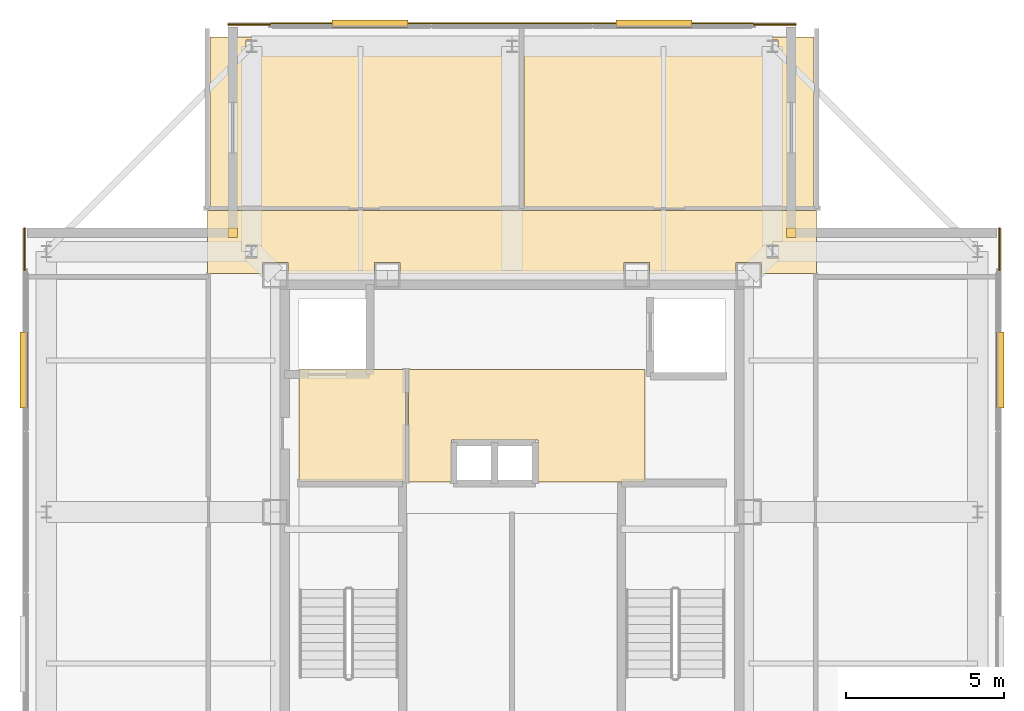
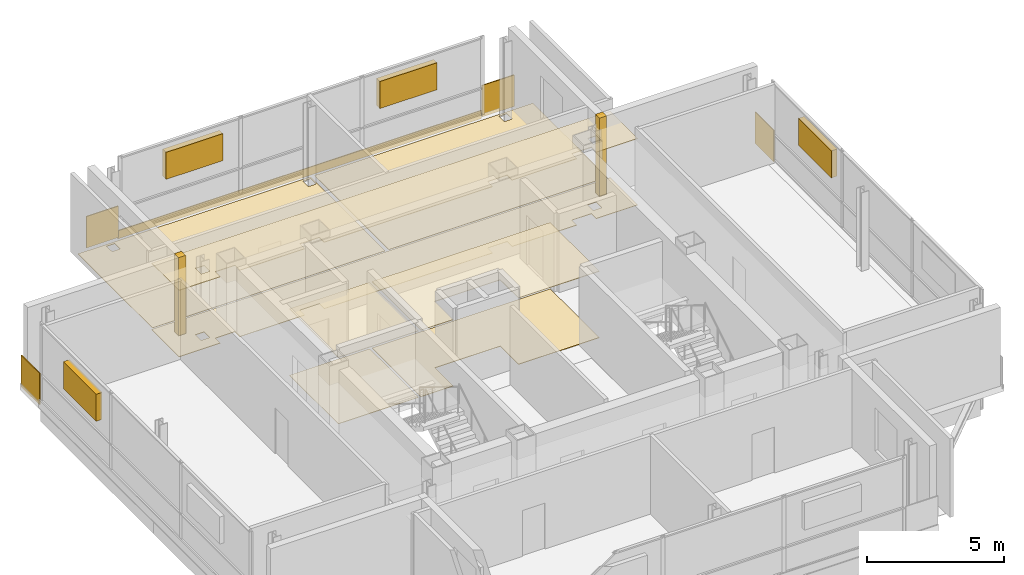
# One storey, part 10 of 10: 15 coverings, 4 shading devices.
"""IFC4 building model written with IfcOpenShell, lengths in metres."""

from ifc_helpers import new_model, si_unit, direction, frame, frame_2d, origin, origin_2d, place, context, subcontext, project, spatial, polyline, rectangle, outline, extrude, material, layer, layer_set, type_object, element, save


model = new_model("IFC4")

# Units and contexts
model_context = context("Model", 3, precision=1e-05, world=origin(), true_north=direction((0.0, 1.0)))
body_context = subcontext(model_context, "Body", "Model", "MODEL_VIEW")
ifc_project = project(units=[si_unit("LENGTHUNIT", "METRE"), si_unit("AREAUNIT", "SQUARE_METRE"), si_unit("VOLUMEUNIT", "CUBIC_METRE"), si_unit("PLANEANGLEUNIT", "RADIAN"), si_unit("MASSUNIT", "GRAM", prefix="KILO")], contexts=[model_context])

# Site, building, storey
site_placement = place(None, origin())
site = spatial("IfcSite", under=ifc_project, at=site_placement, CompositionType="ELEMENT")
building_placement = place(site_placement, origin())
building = spatial("IfcBuilding", under=site, at=building_placement, Name="Trevonay Congress Spire", CompositionType="ELEMENT")
storey_placement = place(building_placement, frame((0.0, 0.0, 319.800048828125)))
storey = spatial("IfcBuildingStorey", under=building, at=storey_placement, Name="L84", CompositionType="ELEMENT", Elevation=319.800048828125)

# Coverings
ifc_material_1 = material(Name="Acoustic Mineral Fibre Board", Category="gypsum")
ifc_layer_1 = layer(ifc_material_1, 0.02490234375, Name="Acoustic Mineral Fibre Board")
ifc_layer_set_1 = layer_set([ifc_layer_1], Name="Acoustic Mineral Fibre Board")
covering_type_1 = type_object("IfcCoveringType", Name="COV-CEIL-ACOUSTIC", PredefinedType="CEILING", material=ifc_layer_set_1)
covering_1_placement = place(storey_placement, frame((0.0, 0.0, 2.949951171875)))
element("IfcCovering", 1, at=covering_1_placement, inside=storey, type_object=covering_type_1, Name="L84 Firefighting Lift Lobby West acoustic suspended ceiling", PredefinedType="CEILING", context=body_context, shape_type="SweptSolid", body=[
    extrude(outline(polyline([(-6.75, 0.9599609375), (-3.3798828125, 0.9599609375), (-3.3798828125, 4.52001953125), (-6.75, 4.52001953125), (-6.75, 0.9599609375)])), origin(), (0.0, 0.0, 1.0), 0.02490234375),
])
covering_2_placement = place(storey_placement, frame((0.0, 0.0, 2.949951171875)))
element("IfcCovering", 2, at=covering_2_placement, inside=storey, type_object=covering_type_1, Name="L84 Central and High-Rise Passenger Lift Lobby acoustic suspended ceiling", PredefinedType="CEILING", context=body_context, shape_type="SweptSolid", body=[
    extrude(outline(polyline([(-3.280029296875, 0.949951171875), (-1.919921875, 0.949951171875), (-1.919921875, 2.280029296875), (0.820068359375, 2.280029296875), (0.820068359375, 0.949951171875), (4.219970703125, 0.949951171875), (4.219970703125, 4.52001953125), (-3.280029296875, 4.52001953125), (-3.280029296875, 0.949951171875)])), origin(), (0.0, 0.0, 1.0), 0.02490234375),
])
covering_3_placement = place(storey_placement, frame((0.0, 0.0, 2.949951171875)))
element("IfcCovering", 3, at=covering_3_placement, inside=storey, type_object=covering_type_1, Name="L84 Crown Gallery Corridor North acoustic suspended ceiling", PredefinedType="CEILING", context=body_context, shape_type="SweptSolid", body=[
    extrude(outline(polyline([(-9.64990234375, 7.550048828125), (-9.64990234375, 9.550048828125), (9.64990234375, 9.550048828125), (9.64990234375, 7.550048828125), (7.909912109375, 7.550048828125), (7.909912109375, 7.909912109375), (7.090087890625, 7.909912109375), (7.090087890625, 7.550048828125), (4.360107421875, 7.550048828125), (4.360107421875, 7.909912109375), (3.5400390625, 7.909912109375), (3.5400390625, 7.550048828125), (-3.5400390625, 7.550048828125), (-3.5400390625, 7.909912109375), (-4.360107421875, 7.909912109375), (-4.360107421875, 7.550048828125), (-7.090087890625, 7.550048828125), (-7.090087890625, 7.909912109375), (-7.909912109375, 7.909912109375), (-7.909912109375, 7.550048828125), (-9.64990234375, 7.550048828125)]), holes=[polyline([(-8.070068359375, 8.45654296875), (-8.429931640625, 8.45654296875), (-8.429931640625, 8.04345703125), (-8.070068359375, 8.04345703125), (-8.070068359375, 8.45654296875)]), polyline([(8.429931640625, 8.45654296875), (8.070068359375, 8.45654296875), (8.070068359375, 8.04345703125), (8.429931640625, 8.04345703125), (8.429931640625, 8.45654296875)])]), origin(), (0.0, 0.0, 1.0), 0.02490234375),
])
ifc_material_2 = material(Name="Polished Granite Floor Tile", Category="masonry")
ifc_layer_2 = layer(ifc_material_2, 0.02001953125, Name="Polished Granite Floor Tile")
ifc_layer_set_2 = layer_set([ifc_layer_2], Name="Polished Granite Floor Tile")
covering_type_2 = type_object("IfcCoveringType", Name="COV-FLOOR-STONE", PredefinedType="FLOORING", material=ifc_layer_set_2)
covering_4_placement = place(storey_placement, origin())
element("IfcCovering", 4, at=covering_4_placement, inside=storey, type_object=covering_type_2, Name="L84 Firefighting Lift Lobby West floor finish", PredefinedType="FLOORING", context=body_context, shape_type="SweptSolid", body=[
    extrude(outline(polyline([(-6.75, 0.9599609375), (-3.3798828125, 0.9599609375), (-3.3798828125, 4.52001953125), (-6.75, 4.52001953125), (-6.75, 0.9599609375)])), origin(), (0.0, 0.0, 1.0), 0.02001953125),
])
covering_5_placement = place(storey_placement, origin())
element("IfcCovering", 5, at=covering_5_placement, inside=storey, type_object=covering_type_2, Name="L84 Central and High-Rise Passenger Lift Lobby floor finish", PredefinedType="FLOORING", context=body_context, shape_type="SweptSolid", body=[
    extrude(outline(polyline([(-3.280029296875, 0.949951171875), (-1.919921875, 0.949951171875), (-1.919921875, 2.280029296875), (0.820068359375, 2.280029296875), (0.820068359375, 0.949951171875), (4.219970703125, 0.949951171875), (4.219970703125, 4.52001953125), (-3.280029296875, 4.52001953125), (-3.280029296875, 0.949951171875)])), origin(), (0.0, 0.0, 1.0), 0.02001953125),
])
covering_6_placement = place(storey_placement, origin())
element("IfcCovering", 6, at=covering_6_placement, inside=storey, type_object=covering_type_2, Name="L84 Crown Gallery Corridor North floor finish", PredefinedType="FLOORING", context=body_context, shape_type="SweptSolid", body=[
    extrude(outline(polyline([(-9.64990234375, 7.550048828125), (-9.64990234375, 9.550048828125), (9.64990234375, 9.550048828125), (9.64990234375, 7.550048828125), (7.909912109375, 7.550048828125), (7.909912109375, 7.909912109375), (7.090087890625, 7.909912109375), (7.090087890625, 7.550048828125), (4.360107421875, 7.550048828125), (4.360107421875, 7.909912109375), (3.5400390625, 7.909912109375), (3.5400390625, 7.550048828125), (-3.5400390625, 7.550048828125), (-3.5400390625, 7.909912109375), (-4.360107421875, 7.909912109375), (-4.360107421875, 7.550048828125), (-7.090087890625, 7.550048828125), (-7.090087890625, 7.909912109375), (-7.909912109375, 7.909912109375), (-7.909912109375, 7.550048828125), (-9.64990234375, 7.550048828125)]), holes=[polyline([(-8.070068359375, 8.45654296875), (-8.429931640625, 8.45654296875), (-8.429931640625, 8.04345703125), (-8.070068359375, 8.04345703125), (-8.070068359375, 8.45654296875)]), polyline([(8.429931640625, 8.45654296875), (8.070068359375, 8.45654296875), (8.070068359375, 8.04345703125), (8.429931640625, 8.04345703125), (8.429931640625, 8.45654296875)])]), origin(), (0.0, 0.0, 1.0), 0.02001953125),
])
covering_7_placement = place(storey_placement, origin())
element("IfcCovering", 7, at=covering_7_placement, inside=storey, type_object=covering_type_2, Name="L84 Crown Electrical Switchroom Plant floor finish", PredefinedType="FLOORING", context=body_context, shape_type="SweptSolid", body=[
    extrude(outline(polyline([(-9.570068359375, 15.050048828125), (0.219970703125, 15.050048828125), (0.219970703125, 9.6201171875), (-9.570068359375, 9.6201171875), (-9.570068359375, 15.050048828125)]), holes=[polyline([(-8.4208984375, 14.553955078125), (-8.0791015625, 14.553955078125), (-8.0791015625, 14.946044921875), (-8.4208984375, 14.946044921875), (-8.4208984375, 14.553955078125)]), polyline([(-0.1708984375, 14.553955078125), (0.1708984375, 14.553955078125), (0.1708984375, 14.946044921875), (-0.1708984375, 14.946044921875), (-0.1708984375, 14.553955078125)])]), origin(), (0.0, 0.0, 1.0), 0.02001953125),
])
covering_8_placement = place(storey_placement, origin())
element("IfcCovering", 8, at=covering_8_placement, inside=storey, type_object=covering_type_2, Name="L84 Standby UPS Battery Plant floor finish", PredefinedType="FLOORING", context=body_context, shape_type="SweptSolid", body=[
    extrude(outline(polyline([(0.3798828125, 15.050048828125), (9.570068359375, 15.050048828125), (9.570068359375, 9.6201171875), (0.3798828125, 9.6201171875), (0.3798828125, 15.050048828125)]), holes=[polyline([(8.4208984375, 14.553955078125), (8.4208984375, 14.946044921875), (8.0791015625, 14.946044921875), (8.0791015625, 14.553955078125), (8.4208984375, 14.553955078125)])]), origin(), (0.0, 0.0, 1.0), 0.02001953125),
])
ifc_material_3 = material(Name="Pale Anodised Aluminium EN AW-6063-T6", Category="aluminium")
ifc_layer_3 = layer(ifc_material_3, 0.0400390625, Name="Pale Anodised Aluminium EN AW-6063-T6")
ifc_layer_set_3 = layer_set([ifc_layer_3], Name="Pale Anodised Aluminium EN AW-6063-T6")
covering_type_3 = type_object("IfcCoveringType", Name="COV-SPANDREL-PALE-METAL", PredefinedType="CLADDING", material=ifc_layer_set_3)
covering_9_placement = place(storey_placement, frame((-7.64990234375, 15.47998046875, -0.239990234375), z_axis=(0.0, 0.0, 1.0), x_axis=(1.0, 0.0, 0.0)))
element("IfcCovering", 9, at=covering_9_placement, inside=storey, type_object=covering_type_3, Name="L84 N pale-metal slab-edge spandrel cladding", PredefinedType="CLADDING", context=body_context, shape_type="SweptSolid", body=[
    extrude(rectangle(XDim=15.2998046875, YDim=0.0400390625, at=frame_2d((7.64990234375, 0.0))), origin(), (0.0, 0.0, 1.0), 0.35986328125),
])
covering_10_placement = place(storey_placement, origin())
element("IfcCovering", 10, at=covering_10_placement, inside=storey, type_object=covering_type_3, Name="L84 NE re-entrant notch corner closure trim", PredefinedType="CLADDING", context=body_context, shape_type="SweptSolid", body=[
    extrude(outline(polyline([(8.699951171875, 8.699951171875), (9.0, 8.699951171875), (9.0, 9.0), (8.699951171875, 9.0), (8.699951171875, 8.699951171875)])), origin(), (0.0, 0.0, 1.0), 3.5),
])
for number, where, z_axis, x_axis, name in (
    (11, (15.43994140625, 7.64990234375, -0.150146484375), (0.0, 0.0, 1.0), (0.0, 1.0, 0.0), "L84 NE corner pier spandrel cladding 1"),
    (12, (7.64990234375, 15.43994140625, -0.150146484375), (0.0, 0.0, 1.0), (1.0, 0.0, 0.0), "L84 NE corner pier spandrel cladding 2"),
):
    element("IfcCovering", number, at=place(storey_placement, frame(where, z_axis=z_axis, x_axis=x_axis)), inside=storey, type_object=covering_type_3, Name=name, PredefinedType="CLADDING", context=body_context, shape_type="SweptSolid", body=[
        extrude(rectangle(XDim=1.35009765625, YDim=0.0400390625, at=frame_2d((0.675048828125, 0.0))), origin(), (0.0, 0.0, 1.0), 1.400146484375),
    ])
covering_11_placement = place(storey_placement, origin())
element("IfcCovering", 13, at=covering_11_placement, inside=storey, type_object=covering_type_3, Name="L84 NW re-entrant notch corner closure trim", PredefinedType="CLADDING", context=body_context, shape_type="SweptSolid", body=[
    extrude(outline(polyline([(-9.0, 8.699951171875), (-8.699951171875, 8.699951171875), (-8.699951171875, 9.0), (-9.0, 9.0), (-9.0, 8.699951171875)])), origin(), (0.0, 0.0, 1.0), 3.5),
])
for number, where, z_axis, x_axis, name in (
    (14, (-15.43994140625, 7.64990234375, -0.150146484375), (0.0, 0.0, 1.0), (0.0, 1.0, 0.0), "L84 NW corner pier spandrel cladding 1"),
    (15, (-7.64990234375, 15.43994140625, -0.150146484375), (0.0, 0.0, 1.0), (-1.0, 0.0, 0.0), "L84 NW corner pier spandrel cladding 2"),
):
    element("IfcCovering", number, at=place(storey_placement, frame(where, z_axis=z_axis, x_axis=x_axis)), inside=storey, type_object=covering_type_3, Name=name, PredefinedType="CLADDING", context=body_context, shape_type="SweptSolid", body=[
        extrude(rectangle(XDim=1.35009765625, YDim=0.0400390625, at=frame_2d((0.675048828125, 0.0))), origin(), (0.0, 0.0, 1.0), 1.400146484375),
    ])

# Shading devices
shading_device_type = type_object("IfcShadingDeviceType", Name="SHD-LOUVRE-PLANT-ALUM", PredefinedType="USERDEFINED", material=ifc_material_3)
for number, where, z_axis, x_axis, name in (
    (16, (-4.5, 15.4599609375, 1.7998046875), (0.0, 0.0, 1.0), (1.0, 0.0, 0.0), "L84 N crown plant intake louvre 1"),
    (17, (4.5, 15.4599609375, 1.7998046875), (0.0, 0.0, 1.0), (1.0, 0.0, 0.0), "L84 N crown plant intake louvre 2"),
    (18, (-15.4599609375, 4.5, 1.7998046875), (0.0, 0.0, 1.0), (0.0, 1.0, 0.0), "L84 W crown plant intake louvre 2"),
    (19, (15.4599609375, 4.5, 1.7998046875), (0.0, 0.0, 1.0), (0.0, 1.0, 0.0), "L84 E crown plant intake louvre 2"),
):
    element("IfcShadingDevice", number, at=place(storey_placement, frame(where, z_axis=z_axis, x_axis=x_axis)), inside=storey, type_object=shading_device_type, Name=name, ObjectType="LOUVRE", PredefinedType="USERDEFINED", context=body_context, shape_type="SweptSolid", body=[
        extrude(rectangle(XDim=2.39990234375, YDim=0.25, at=origin_2d()), origin(), (0.0, 0.0, 1.0), 1.199951171875),
    ])

save(model, "model.ifc")
